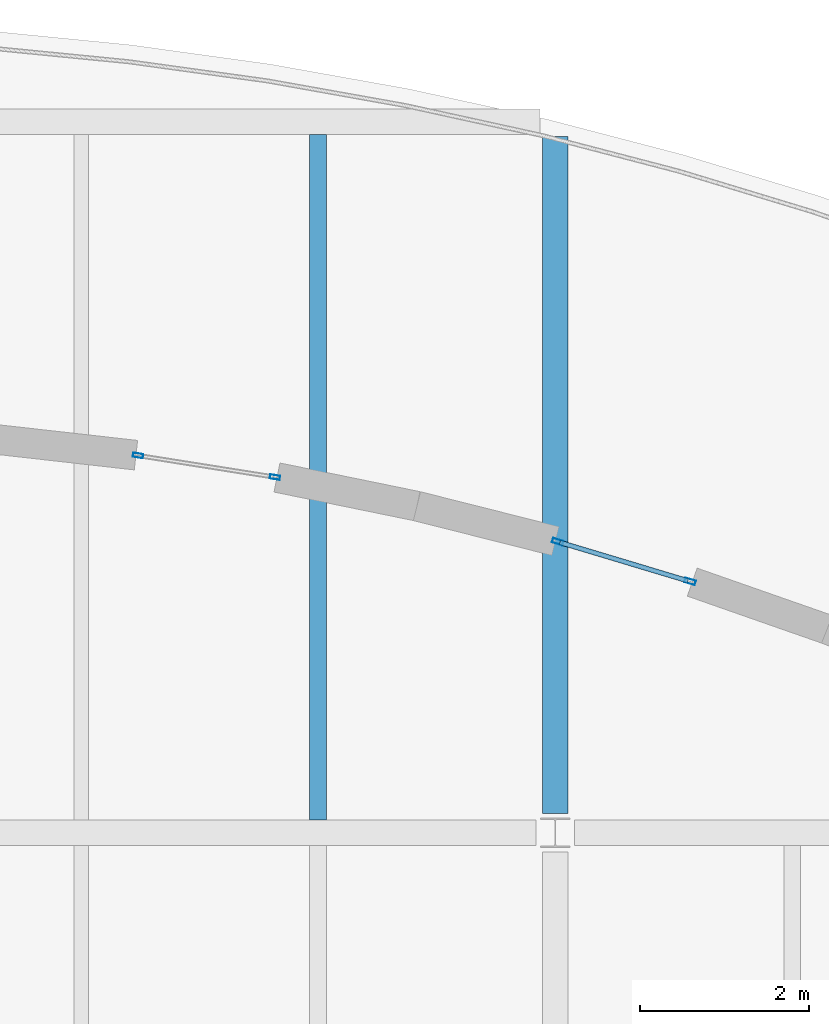
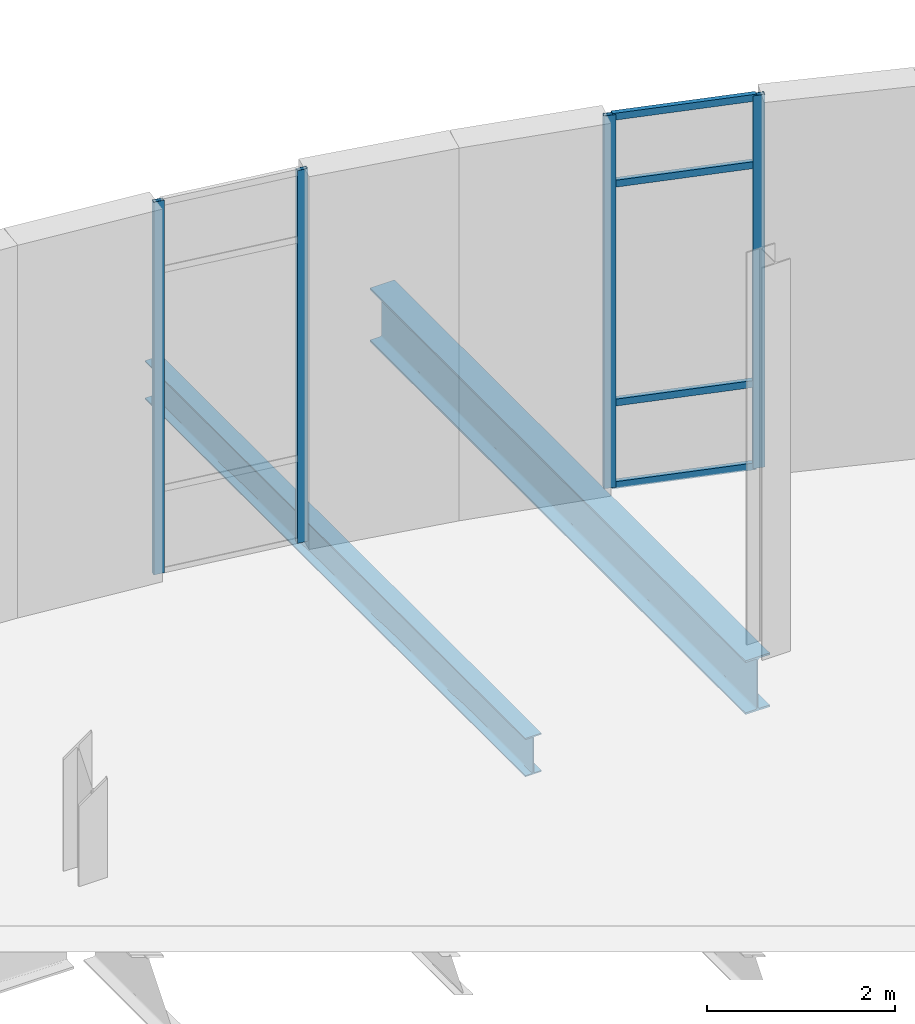
# One storey, part 20 of 57: 8 members, 2 beams, 2 elements without a shape of their own.
"""IFC4 building model written with IfcOpenShell, lengths in metres."""

from ifc_helpers import new_model, si_unit, direction, frame, origin, origin_2d, place, context, subcontext, project, spatial, hollow_rectangle, i_section, extrude, material, layer, layer_set, material_profile, profile_set, type_object, element, aggregate, save


model = new_model("IFC4")

# Units and contexts
model_context = context("Model", 3, precision=1e-05, world=origin(), true_north=direction((0.0, 1.0)))
body_context = subcontext(model_context, "Body", "Model", "MODEL_VIEW")
ifc_project = project(units=[si_unit("LENGTHUNIT", "METRE"), si_unit("AREAUNIT", "SQUARE_METRE"), si_unit("VOLUMEUNIT", "CUBIC_METRE"), si_unit("PLANEANGLEUNIT", "RADIAN"), si_unit("MASSUNIT", "GRAM", prefix="KILO"), si_unit("THERMODYNAMICTEMPERATUREUNIT", "KELVIN")], contexts=[model_context])

# Site, building, storey
site_placement = place(None, origin())
site = spatial("IfcSite", under=ifc_project, at=site_placement, CompositionType="ELEMENT")
building_placement = place(site_placement, origin())
building = spatial("IfcBuilding", under=site, at=building_placement, Name="Lustrewick Department Store", CompositionType="ELEMENT")
storey_placement = place(building_placement, frame((0.0, 0.0, 26.699951171875)))
storey = spatial("IfcBuildingStorey", under=building, at=storey_placement, Name="L06", CompositionType="ELEMENT", Elevation=26.699951171875)

# Beam
ifc_material_1 = material(Name="Structural steel Q355B", Category="steel")
ifc_material_profile_1 = material_profile(ifc_material_1, i_section(OverallWidth=0.199951171875, OverallDepth=0.5, WebThickness=0.010009765625, FlangeThickness=0.01611328125, FilletRadius=0.01611328125, at=origin_2d()), Name="HN 500x200x10x16")
ifc_profile_set_1 = profile_set([ifc_material_profile_1], Name="Structural steel Q355B")
beam_type_1 = type_object("IfcBeamType", Name="B01", PredefinedType="JOIST", material=ifc_profile_set_1)
beam_1_placement = place(storey_placement, frame((123.199951171875, 92.550048828125, -0.5048828125), z_axis=(0.0, 1.0, 0.0), x_axis=(-1.0, 0.0, 0.0)))
element("IfcBeam", 1, at=beam_1_placement, inside=storey, type_object=beam_type_1, Name="L06 V4 Secondary Joist B01", PredefinedType="JOIST", context=body_context, shape_type="SweptSolid", body=[
    extrude(i_section(OverallWidth=0.199951171875, OverallDepth=0.5, WebThickness=0.010009765625, FlangeThickness=0.01611328125, FilletRadius=0.01611328125, at=origin_2d()), origin(), (0.0, 0.0, 1.0), 8.099853515625),
])

# Curtain wall, members
ifc_material_2 = material(Name="Thermally broken aluminium 6063-T5", Category="aluminium")
ifc_layer_1 = layer(ifc_material_2, 0.1298828125, Name="Thermally broken aluminium 6063-T5")
ifc_layer_set_1 = layer_set([ifc_layer_1], Name="Thermally broken aluminium 6063-T5")
curtain_wall_type_1 = type_object("IfcCurtainWallType", Name="CW07", PredefinedType="NOTDEFINED", material=ifc_layer_set_1)
curtain_wall_1_placement = place(storey_placement, origin())
curtain_wall_1 = element("IfcCurtainWall", 2, at=curtain_wall_1_placement, inside=storey, type_object=curtain_wall_type_1, Name="L06 V4 Curtain Wall CW07", PredefinedType="NOTDEFINED")
ifc_material_profile_2 = material_profile(ifc_material_2, hollow_rectangle(XDim=0.054931640625, YDim=0.1298828125, WallThickness=0.00341796875, at=origin_2d()), Name="ALU-M 55x130x3.5")
ifc_profile_set_2 = profile_set([ifc_material_profile_2], Name="Thermally broken aluminium 6063-T5")
member_type_1 = type_object("IfcMemberType", Name="CW07-M1", PredefinedType="MULLION", material=ifc_profile_set_2)
member_1_placement = place(storey_placement, frame((127.5927734375, 95.36767578125, 0.0), z_axis=(0.0, 0.0, 1.0), x_axis=(-0.287619738117, -0.957744687401, 0.0)))
member_1 = element("IfcMember", 3, at=member_1_placement, type_object=member_type_1, Name="CW07 mullion 1", PredefinedType="MULLION", context=body_context, shape_type="SweptSolid", body=[
    extrude(hollow_rectangle(XDim=0.054931640625, YDim=0.1298828125, WallThickness=0.00341796875, at=origin_2d()), origin(), (0.0, 0.0, 1.0), 4.844970703125),
])
member_2_placement = place(storey_placement, frame((126.029296875, 95.837158203125, 0.0), z_axis=(0.0, 0.0, 1.0), x_axis=(-0.287619738117, -0.957744687401, 0.0)))
member_2 = element("IfcMember", 4, at=member_2_placement, type_object=member_type_1, Name="CW07 mullion 2", PredefinedType="MULLION", context=body_context, shape_type="SweptSolid", body=[
    extrude(hollow_rectangle(XDim=0.054931640625, YDim=0.1298828125, WallThickness=0.00341796875, at=origin_2d()), origin(), (0.0, 0.0, 1.0), 4.844970703125),
])
ifc_material_profile_3 = material_profile(ifc_material_2, hollow_rectangle(XDim=0.054931640625, YDim=0.090087890625, WallThickness=0.0029296875, at=origin_2d()), Name="ALU-T 55x90x3")
ifc_profile_set_3 = profile_set([ifc_material_profile_3], Name="Thermally broken aluminium 6063-T5")
member_type_2 = type_object("IfcMemberType", Name="CW07-T1", PredefinedType="USERDEFINED", material=ifc_profile_set_3)
member_3_placement = place(storey_placement, frame((127.56640625, 95.37548828125, 0.027587890625), z_axis=(-0.957758099738, 0.28757507261, 0.0), x_axis=(-0.28757507261, -0.957758099738, 0.0)))
member_3 = element("IfcMember", 5, at=member_3_placement, type_object=member_type_2, Name="CW07 transom 1.1", ObjectType="TRANSOM", PredefinedType="USERDEFINED", context=body_context, shape_type="SweptSolid", body=[
    extrude(hollow_rectangle(XDim=0.054931640625, YDim=0.090087890625, WallThickness=0.0029296875, at=origin_2d()), origin(), (0.0, 0.0, 1.0), 1.577392578125),
])
member_4_placement = place(storey_placement, frame((127.56640625, 95.37548828125, 1.10009765625), z_axis=(-0.957758099738, 0.28757507261, 0.0), x_axis=(-0.28757507261, -0.957758099738, 0.0)))
member_4 = element("IfcMember", 6, at=member_4_placement, type_object=member_type_2, Name="CW07 transom 1.2", ObjectType="TRANSOM", PredefinedType="USERDEFINED", context=body_context, shape_type="SweptSolid", body=[
    extrude(hollow_rectangle(XDim=0.054931640625, YDim=0.090087890625, WallThickness=0.0029296875, at=origin_2d()), origin(), (0.0, 0.0, 1.0), 1.577392578125),
])
member_5_placement = place(storey_placement, frame((127.56640625, 95.37548828125, 3.945068359375), z_axis=(-0.957758099738, 0.28757507261, 0.0), x_axis=(-0.28757507261, -0.957758099738, 0.0)))
member_5 = element("IfcMember", 7, at=member_5_placement, type_object=member_type_2, Name="CW07 transom 1.3", ObjectType="TRANSOM", PredefinedType="USERDEFINED", context=body_context, shape_type="SweptSolid", body=[
    extrude(hollow_rectangle(XDim=0.054931640625, YDim=0.090087890625, WallThickness=0.0029296875, at=origin_2d()), origin(), (0.0, 0.0, 1.0), 1.577392578125),
])
member_6_placement = place(storey_placement, frame((127.56640625, 95.37548828125, 4.817626953125), z_axis=(-0.957758099738, 0.28757507261, 0.0), x_axis=(-0.28757507261, -0.957758099738, 0.0)))
member_6 = element("IfcMember", 8, at=member_6_placement, type_object=member_type_2, Name="CW07 transom 1.4", ObjectType="TRANSOM", PredefinedType="USERDEFINED", context=body_context, shape_type="SweptSolid", body=[
    extrude(hollow_rectangle(XDim=0.054931640625, YDim=0.090087890625, WallThickness=0.0029296875, at=origin_2d()), origin(), (0.0, 0.0, 1.0), 1.577392578125),
])
aggregate(curtain_wall_1, [member_1, member_2, member_3, member_4, member_5, member_6])

ifc_layer_2 = layer(ifc_material_2, 0.1201171875, Name="Thermally broken aluminium 6063-T5")
ifc_layer_set_2 = layer_set([ifc_layer_2], Name="Thermally broken aluminium 6063-T5")
curtain_wall_type_2 = type_object("IfcCurtainWallType", Name="CW08", PredefinedType="NOTDEFINED", material=ifc_layer_set_2)
curtain_wall_2_placement = place(storey_placement, origin())
curtain_wall_2 = element("IfcCurtainWall", 9, at=curtain_wall_2_placement, inside=storey, type_object=curtain_wall_type_2, Name="L06 V4 Curtain Wall CW08", PredefinedType="NOTDEFINED")
ifc_material_profile_4 = material_profile(ifc_material_2, hollow_rectangle(XDim=0.050048828125, YDim=0.1201171875, WallThickness=0.0029296875, at=origin_2d()), Name="ALU-M 50x120x3")
ifc_profile_set_4 = profile_set([ifc_material_profile_4], Name="Thermally broken aluminium 6063-T5")
member_type_3 = type_object("IfcMemberType", Name="CW08-M1", PredefinedType="MULLION", material=ifc_profile_set_4)
member_7_placement = place(storey_placement, frame((122.68896484375, 96.599609375, 0.0), z_axis=(0.0, 0.0, 1.0), x_axis=(-0.156406903669, -0.987692705493, 0.0)))
member_7 = element("IfcMember", 10, at=member_7_placement, type_object=member_type_3, Name="CW08 mullion 1", PredefinedType="MULLION", context=body_context, shape_type="SweptSolid", body=[
    extrude(hollow_rectangle(XDim=0.050048828125, YDim=0.1201171875, WallThickness=0.0029296875, at=origin_2d()), origin(), (0.0, 0.0, 1.0), 4.844970703125),
])
member_8_placement = place(storey_placement, frame((121.07177734375, 96.855712890625, 0.0), z_axis=(0.0, 0.0, 1.0), x_axis=(-0.156406903669, -0.987692705493, 0.0)))
member_8 = element("IfcMember", 11, at=member_8_placement, type_object=member_type_3, Name="CW08 mullion 2", PredefinedType="MULLION", context=body_context, shape_type="SweptSolid", body=[
    extrude(hollow_rectangle(XDim=0.050048828125, YDim=0.1201171875, WallThickness=0.0029296875, at=origin_2d()), origin(), (0.0, 0.0, 1.0), 4.844970703125),
])
aggregate(curtain_wall_2, [member_7, member_8])

# Beam
ifc_material_profile_5 = material_profile(ifc_material_1, i_section(OverallWidth=0.300048828125, OverallDepth=0.699951171875, WebThickness=0.012939453125, FlangeThickness=0.02392578125, FilletRadius=0.02001953125, at=origin_2d()), Name="HN 700x300x13x24")
ifc_profile_set_5 = profile_set([ifc_material_profile_5], Name="Structural steel Q355B")
beam_type_2 = type_object("IfcBeamType", Name="G08", PredefinedType="BEAM", material=ifc_profile_set_5)
beam_2_placement = place(storey_placement, frame((126.0, 92.625, -0.60498046875), z_axis=(0.0, 1.0, 0.0), x_axis=(-1.0, 0.0, 0.0)))
element("IfcBeam", 12, at=beam_2_placement, inside=storey, type_object=beam_type_2, Name="L06 V4 Girder G08", PredefinedType="BEAM", context=body_context, shape_type="SweptSolid", body=[
    extrude(i_section(OverallWidth=0.300048828125, OverallDepth=0.699951171875, WebThickness=0.012939453125, FlangeThickness=0.02392578125, FilletRadius=0.02001953125, at=origin_2d()), origin(), (0.0, 0.0, 1.0), 7.9970703125),
])

save(model, "model.ifc")
